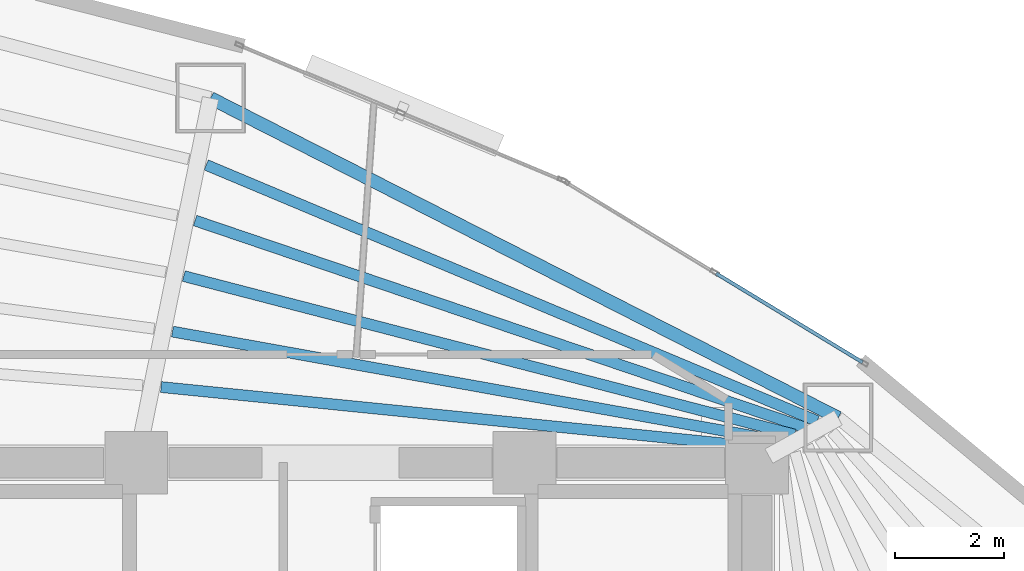
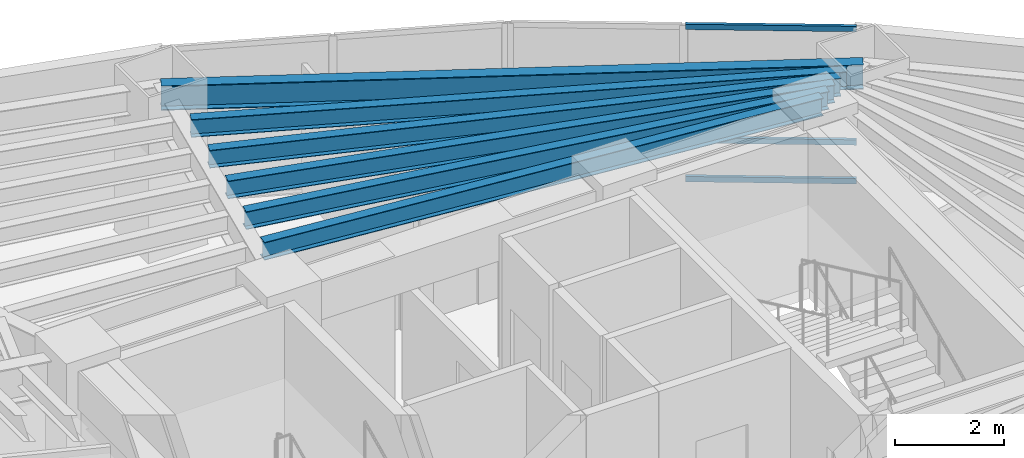
# One storey, part 10 of 19: 6 beams, 3 members, 1 element without a shape of its own.
"""IFC4 building model written with IfcOpenShell, lengths in metres."""

from ifc_helpers import new_model, si_unit, direction, frame, origin, origin_2d, place, context, subcontext, project, spatial, hollow_rectangle, i_section, extrude, material, layer, layer_set, material_profile, profile_set, type_object, element, aggregate, save


model = new_model("IFC4")

# Units and contexts
model_context = context("Model", 3, precision=1e-05, world=origin(), true_north=direction((0.0, 1.0)))
body_context = subcontext(model_context, "Body", "Model", "MODEL_VIEW")
ifc_project = project(units=[si_unit("LENGTHUNIT", "METRE"), si_unit("AREAUNIT", "SQUARE_METRE"), si_unit("VOLUMEUNIT", "CUBIC_METRE"), si_unit("PLANEANGLEUNIT", "RADIAN"), si_unit("MASSUNIT", "GRAM", prefix="KILO")], contexts=[model_context])

# Site, building, storey
site_placement = place(None, origin())
site = spatial("IfcSite", under=ifc_project, at=site_placement, CompositionType="ELEMENT")
building_placement = place(site_placement, origin())
building = spatial("IfcBuilding", under=site, at=building_placement, Name="Menara Vayukalpa", CompositionType="ELEMENT")
storey_placement = place(building_placement, frame((0.0, 0.0, 122.580078125)))
storey = spatial("IfcBuildingStorey", under=building, at=storey_placement, Name="L30", CompositionType="ELEMENT", Elevation=122.580078125)

# Beams
ifc_material_1 = material(Name="Steel S355", Category="steel")
ifc_material_profile_1 = material_profile(ifc_material_1, i_section(OverallWidth=0.199951171875, OverallDepth=0.39990234375, WebThickness=0.008056640625, FlangeThickness=0.012939453125, at=origin_2d()), Name="WF 400x200x8x13")
ifc_profile_set_1 = profile_set([ifc_material_profile_1], Name="Steel S355")
beam_type_1 = type_object("IfcBeamType", Name="BM-SJ2", PredefinedType="JOIST", material=ifc_profile_set_1)
beam_1_placement = place(storey_placement, frame((33.677978515625, 27.06396484375, 3.27001953125), z_axis=(-0.995012836574, 0.099746955103, 0.0), x_axis=(-0.099746955103, -0.995012836574, 0.0)))
element("IfcBeam", 1, at=beam_1_placement, inside=storey, type_object=beam_type_1, Name="L30 Secondary Floor Joist SJ02-1", PredefinedType="JOIST", context=body_context, shape_type="SweptSolid", body=[
    extrude(i_section(OverallWidth=0.199951171875, OverallDepth=0.39990234375, WebThickness=0.008056640625, FlangeThickness=0.012939453125, at=origin_2d()), origin(), (0.0, 0.0, 1.0), 11.2294921875),
])
beam_2_placement = place(storey_placement, frame((33.882568359375, 27.189208984375, 3.27001953125), z_axis=(-0.984205443357, 0.177030068819, 0.0), x_axis=(-0.177030068819, -0.984205443357, 0.0)))
element("IfcBeam", 2, at=beam_2_placement, inside=storey, type_object=beam_type_1, Name="L30 Secondary Floor Joist SJ02-2", PredefinedType="JOIST", context=body_context, shape_type="SweptSolid", body=[
    extrude(i_section(OverallWidth=0.199951171875, OverallDepth=0.39990234375, WebThickness=0.008056640625, FlangeThickness=0.012939453125, at=origin_2d()), origin(), (0.0, 0.0, 1.0), 11.349853515625),
])
beam_3_placement = place(storey_placement, frame((34.08837890625, 27.31396484375, 3.27001953125), z_axis=(-0.967921665574, 0.251252162802, 0.0), x_axis=(-0.251252162802, -0.967921665574, 0.0)))
element("IfcBeam", 3, at=beam_3_placement, inside=storey, type_object=beam_type_1, Name="L30 Secondary Floor Joist SJ02-3", PredefinedType="JOIST", context=body_context, shape_type="SweptSolid", body=[
    extrude(i_section(OverallWidth=0.199951171875, OverallDepth=0.39990234375, WebThickness=0.008056640625, FlangeThickness=0.012939453125, at=origin_2d()), origin(), (0.0, 0.0, 1.0), 11.539794921875),
])
beam_4_placement = place(storey_placement, frame((34.294677734375, 27.43798828125, 3.27001953125), z_axis=(-0.94694934653, 0.321382848183, 0.0), x_axis=(-0.321382848183, -0.94694934653, 0.0)))
element("IfcBeam", 4, at=beam_4_placement, inside=storey, type_object=beam_type_1, Name="L30 Secondary Floor Joist SJ02-4", PredefinedType="JOIST", context=body_context, shape_type="SweptSolid", body=[
    extrude(i_section(OverallWidth=0.199951171875, OverallDepth=0.39990234375, WebThickness=0.008056640625, FlangeThickness=0.012939453125, at=origin_2d()), origin(), (0.0, 0.0, 1.0), 11.7958984375),
])
beam_5_placement = place(storey_placement, frame((34.501708984375, 27.561279296875, 3.27001953125), z_axis=(-0.922216637658, 0.386673600375, 0.0), x_axis=(-0.386673600375, -0.922216637658, 0.0)))
element("IfcBeam", 5, at=beam_5_placement, inside=storey, type_object=beam_type_1, Name="L30 Secondary Floor Joist SJ02-5", PredefinedType="JOIST", context=body_context, shape_type="SweptSolid", body=[
    extrude(i_section(OverallWidth=0.199951171875, OverallDepth=0.39990234375, WebThickness=0.008056640625, FlangeThickness=0.012939453125, at=origin_2d()), origin(), (0.0, 0.0, 1.0), 12.114501953125),
])
ifc_material_2 = material(Name="Steel S355", Category="steel")
ifc_material_profile_2 = material_profile(ifc_material_2, i_section(OverallWidth=0.239990234375, OverallDepth=0.550048828125, WebThickness=0.010986328125, FlangeThickness=0.01904296875, at=origin_2d()), Name="WF 550x240x11x19")
ifc_profile_set_2 = profile_set([ifc_material_profile_2], Name="Steel S355")
beam_type_2 = type_object("IfcBeamType", Name="BM-SP2", PredefinedType="SPANDREL", material=ifc_profile_set_2)
beam_6_placement = place(storey_placement, frame((34.88671875, 27.62158203125, 3.19482421875), z_axis=(-0.891097345221, 0.453812209333, 0.0), x_axis=(-0.453812209333, -0.891097345221, 0.0)))
element("IfcBeam", 6, at=beam_6_placement, inside=storey, type_object=beam_type_2, Name="L30 Perimeter Spandrel Beam SP02", PredefinedType="SPANDREL", context=body_context, shape_type="SweptSolid", body=[
    extrude(i_section(OverallWidth=0.239990234375, OverallDepth=0.550048828125, WebThickness=0.010986328125, FlangeThickness=0.01904296875, at=origin_2d()), origin(), (0.0, 0.0, 1.0), 12.88134765625),
])

# Curtain wall, members
ifc_material_3 = material(Name="Anodised Terracotta Aluminium Alloy 6063-T6", Category="masonry")
ifc_layer = layer(ifc_material_3, 0.14990234375)
ifc_layer_set = layer_set([ifc_layer], Name="Anodised Terracotta Aluminium Alloy 6063-T6")
curtain_wall_type = type_object("IfcCurtainWallType", Name="CW-CW3", PredefinedType="USERDEFINED", material=ifc_layer_set)
curtain_wall_placement = place(storey_placement, origin())
curtain_wall = element("IfcCurtainWall", 7, at=curtain_wall_placement, inside=storey, type_object=curtain_wall_type, Name="L30 Mid Rise Terracotta Ribbon Curtain Wall CW3 04", ObjectType="UNITISED", PredefinedType="USERDEFINED")
ifc_material_4 = material(Name="Anodised Terracotta Aluminium Alloy 6063-T6", Category="masonry")
ifc_material_profile_3 = material_profile(ifc_material_4, hollow_rectangle(XDim=0.06494140625, YDim=0.1201171875, WallThickness=0.00341796875, at=origin_2d()), Name="ALU 65x120x3.5")
ifc_profile_set_3 = profile_set([ifc_material_profile_3], Name="Anodised Terracotta Aluminium Alloy 6063-T6")
member_type = type_object("IfcMemberType", Name="CWT-CW3", PredefinedType="USERDEFINED", material=ifc_profile_set_3)
member_1_placement = place(storey_placement, frame((35.33056640625, 28.6357421875, 0.032470703125), z_axis=(-0.854673871166, 0.519165266506, 0.0), x_axis=(-0.519165266506, -0.854673871166, 0.0)))
member_1 = element("IfcMember", 8, at=member_1_placement, type_object=member_type, Name="CW3 transom 1.1", ObjectType="TRANSOM", PredefinedType="USERDEFINED", context=body_context, shape_type="SweptSolid", body=[
    extrude(hollow_rectangle(XDim=0.06494140625, YDim=0.1201171875, WallThickness=0.00341796875, at=origin_2d()), origin(), (0.0, 0.0, 1.0), 3.1318359375),
])
member_2_placement = place(storey_placement, frame((35.33056640625, 28.6357421875, 0.89990234375), z_axis=(-0.854673871166, 0.519165266506, 0.0), x_axis=(-0.519165266506, -0.854673871166, 0.0)))
member_2 = element("IfcMember", 9, at=member_2_placement, type_object=member_type, Name="CW3 transom 1.2", ObjectType="TRANSOM", PredefinedType="USERDEFINED", context=body_context, shape_type="SweptSolid", body=[
    extrude(hollow_rectangle(XDim=0.06494140625, YDim=0.1201171875, WallThickness=0.00341796875, at=origin_2d()), origin(), (0.0, 0.0, 1.0), 3.1318359375),
])
member_3_placement = place(storey_placement, frame((35.33056640625, 28.6357421875, 3.4375), z_axis=(-0.854673871166, 0.519165266506, 0.0), x_axis=(-0.519165266506, -0.854673871166, 0.0)))
member_3 = element("IfcMember", 10, at=member_3_placement, type_object=member_type, Name="CW3 transom 1.3", ObjectType="TRANSOM", PredefinedType="USERDEFINED", context=body_context, shape_type="SweptSolid", body=[
    extrude(hollow_rectangle(XDim=0.06494140625, YDim=0.1201171875, WallThickness=0.00341796875, at=origin_2d()), origin(), (0.0, 0.0, 1.0), 3.1318359375),
])
aggregate(curtain_wall, [member_1, member_2, member_3])

save(model, "model.ifc")
